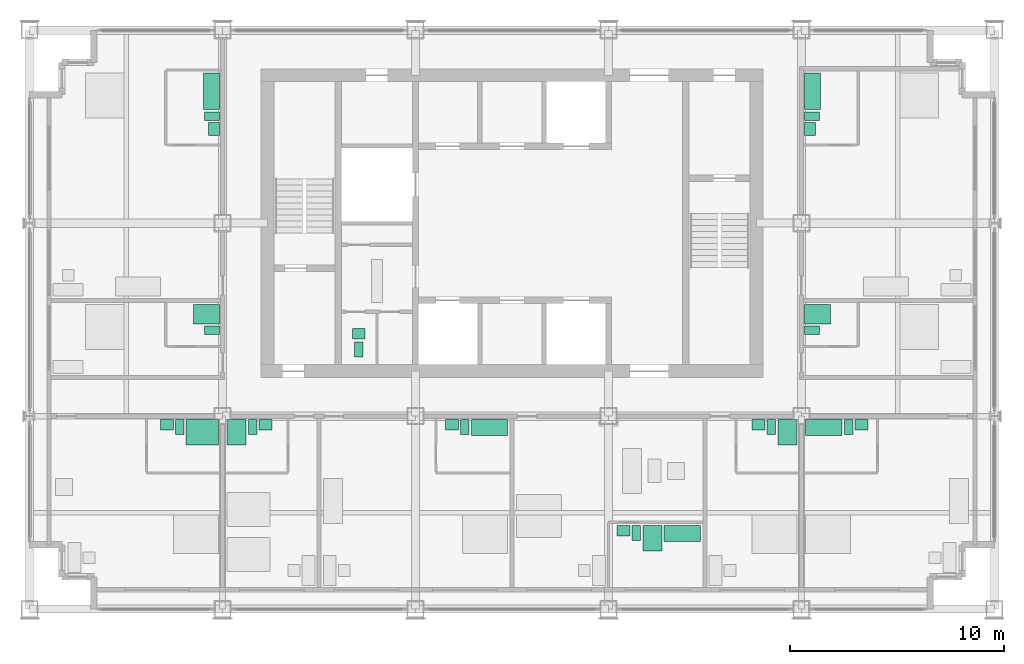
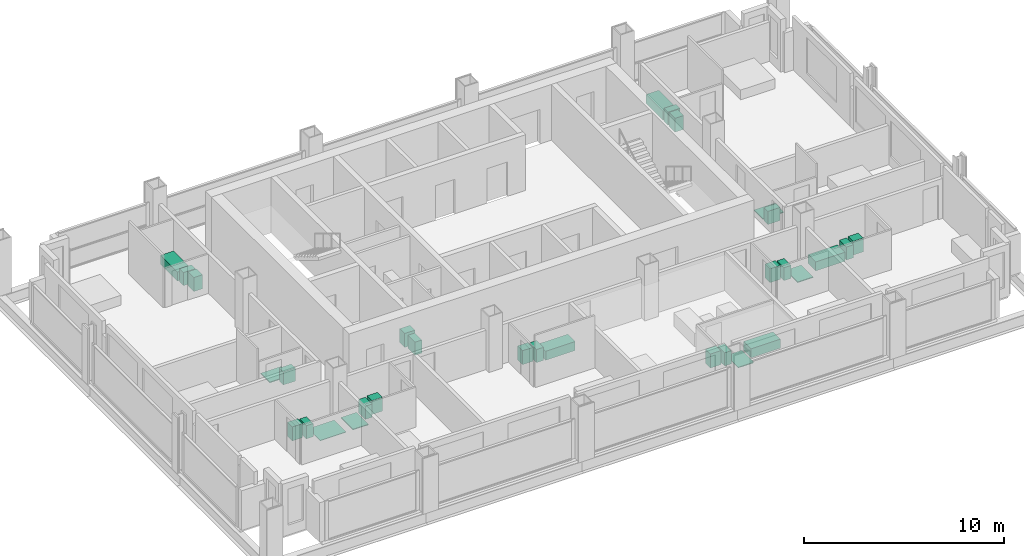
# One storey, part 12 of 13: 31 sanitary terminals.
"""IFC4 building model written with IfcOpenShell, lengths in metres."""

from ifc_helpers import new_model, si_unit, direction, frame, origin, origin_2d, place, context, subcontext, project, spatial, rectangle, extrude, element, save


model = new_model("IFC4")

# Units and contexts
model_context = context("Model", 3, precision=1e-05, world=origin(), true_north=direction((0.0, 1.0)))
body_context = subcontext(model_context, "Body", "Model", "MODEL_VIEW")
ifc_project = project(units=[si_unit("LENGTHUNIT", "METRE"), si_unit("AREAUNIT", "SQUARE_METRE"), si_unit("VOLUMEUNIT", "CUBIC_METRE"), si_unit("PLANEANGLEUNIT", "RADIAN"), si_unit("MASSUNIT", "GRAM", prefix="KILO")], contexts=[model_context])

# Site, building, storey
site_placement = place(None, origin())
site = spatial("IfcSite", under=ifc_project, at=site_placement, CompositionType="ELEMENT")
building_placement = place(site_placement, origin())
building = spatial("IfcBuilding", under=site, at=building_placement, Name="Loomwork Tower", CompositionType="ELEMENT")
storey_placement = place(building_placement, frame((0.0, 0.0, 208.0)))
storey = spatial("IfcBuildingStorey", under=building, at=storey_placement, Name="L57", CompositionType="ELEMENT", Elevation=208.0)

# Sanitary terminals
sanitary_terminal_1_placement = place(storey_placement, frame((8.050048828125, 8.25, 0.0), z_axis=(0.0, 0.0, 1.0), x_axis=(1.0, 0.0, 0.0)))
element("IfcSanitaryTerminal", 1, at=sanitary_terminal_1_placement, inside=storey, Name="Roll-in shower floor L57", PredefinedType="SHOWER", context=body_context, shape_type="SweptSolid", body=[
    extrude(rectangle(XDim=1.5, YDim=1.199951171875, at=origin_2d()), origin(), (0.0, 0.0, 1.0), 0.030029296875),
])
sanitary_terminal_2_placement = place(storey_placement, frame((7.0, 8.5, 0.0), z_axis=(0.0, 0.0, 1.0), x_axis=(1.0, 0.0, 0.0)))
element("IfcSanitaryTerminal", 2, at=sanitary_terminal_2_placement, inside=storey, Name="WC L57", PredefinedType="TOILETPAN", context=body_context, shape_type="SweptSolid", body=[
    extrude(rectangle(XDim=0.39990234375, YDim=0.699951171875, at=origin_2d()), origin(), (0.0, 0.0, 1.0), 0.800048828125),
])
sanitary_terminal_3_placement = place(storey_placement, frame((6.39990234375, 8.60009765625, 0.0), z_axis=(0.0, 0.0, 1.0), x_axis=(1.0, 0.0, 0.0)))
element("IfcSanitaryTerminal", 3, at=sanitary_terminal_3_placement, inside=storey, Name="Basin vanity L57", PredefinedType="WASHHANDBASIN", context=body_context, shape_type="SweptSolid", body=[
    extrude(rectangle(XDim=0.60009765625, YDim=0.5, at=origin_2d()), origin(), (0.0, 0.0, 1.0), 0.85009765625),
])
sanitary_terminal_4_placement = place(storey_placement, frame((9.64990234375, 8.25, 0.0), z_axis=(0.0, 0.0, 1.0), x_axis=(1.0, 0.0, 0.0)))
element("IfcSanitaryTerminal", 4, at=sanitary_terminal_4_placement, inside=storey, Name="Shower tray L57", PredefinedType="SHOWER", context=body_context, shape_type="SweptSolid", body=[
    extrude(rectangle(XDim=0.89990234375, YDim=1.199951171875, at=origin_2d()), origin(), (0.0, 0.0, 1.0), 0.050048828125),
])
sanitary_terminal_5_placement = place(storey_placement, frame((10.39990234375, 8.5, 0.0), z_axis=(0.0, 0.0, 1.0), x_axis=(1.0, 0.0, 0.0)))
element("IfcSanitaryTerminal", 5, at=sanitary_terminal_5_placement, inside=storey, Name="WC L57", PredefinedType="TOILETPAN", context=body_context, shape_type="SweptSolid", body=[
    extrude(rectangle(XDim=0.39990234375, YDim=0.699951171875, at=origin_2d()), origin(), (0.0, 0.0, 1.0), 0.800048828125),
])
sanitary_terminal_6_placement = place(storey_placement, frame((11.0, 8.60009765625, 0.0), z_axis=(0.0, 0.0, 1.0), x_axis=(1.0, 0.0, 0.0)))
element("IfcSanitaryTerminal", 6, at=sanitary_terminal_6_placement, inside=storey, Name="Basin vanity L57", PredefinedType="WASHHANDBASIN", context=body_context, shape_type="SweptSolid", body=[
    extrude(rectangle(XDim=0.60009765625, YDim=0.5, at=origin_2d()), origin(), (0.0, 0.0, 1.0), 0.85009765625),
])
sanitary_terminal_7_placement = place(storey_placement, frame((21.449951171875, 8.47509765625, 0.0), z_axis=(0.0, 0.0, 1.0), x_axis=(1.0, 0.0, 0.0)))
element("IfcSanitaryTerminal", 7, at=sanitary_terminal_7_placement, inside=storey, Name="Bath L57", PredefinedType="BATH", context=body_context, shape_type="SweptSolid", body=[
    extrude(rectangle(XDim=1.699951171875, YDim=0.75, at=origin_2d()), origin(), (0.0, 0.0, 1.0), 0.550048828125),
])
sanitary_terminal_8_placement = place(storey_placement, frame((20.300048828125, 8.5, 0.0), z_axis=(0.0, 0.0, 1.0), x_axis=(1.0, 0.0, 0.0)))
element("IfcSanitaryTerminal", 8, at=sanitary_terminal_8_placement, inside=storey, Name="WC L57", PredefinedType="TOILETPAN", context=body_context, shape_type="SweptSolid", body=[
    extrude(rectangle(XDim=0.39990234375, YDim=0.699951171875, at=origin_2d()), origin(), (0.0, 0.0, 1.0), 0.800048828125),
])
sanitary_terminal_9_placement = place(storey_placement, frame((19.699951171875, 8.60009765625, 0.0), z_axis=(0.0, 0.0, 1.0), x_axis=(1.0, 0.0, 0.0)))
element("IfcSanitaryTerminal", 9, at=sanitary_terminal_9_placement, inside=storey, Name="Basin vanity L57", PredefinedType="WASHHANDBASIN", context=body_context, shape_type="SweptSolid", body=[
    extrude(rectangle(XDim=0.60009765625, YDim=0.5, at=origin_2d()), origin(), (0.0, 0.0, 1.0), 0.85009765625),
])
sanitary_terminal_10_placement = place(storey_placement, frame((30.449951171875, 3.52490234375, 0.0), z_axis=(0.0, 0.0, 1.0), x_axis=(1.0, 0.0, 0.0)))
element("IfcSanitaryTerminal", 10, at=sanitary_terminal_10_placement, inside=storey, Name="Bath L57", PredefinedType="BATH", context=body_context, shape_type="SweptSolid", body=[
    extrude(rectangle(XDim=1.699951171875, YDim=0.75, at=origin_2d()), origin(), (0.0, 0.0, 1.0), 0.550048828125),
])
sanitary_terminal_11_placement = place(storey_placement, frame((29.050048828125, 3.300048828125, 0.0), z_axis=(0.0, 0.0, 1.0), x_axis=(1.0, 0.0, 0.0)))
element("IfcSanitaryTerminal", 11, at=sanitary_terminal_11_placement, inside=storey, Name="Shower tray L57", PredefinedType="SHOWER", context=body_context, shape_type="SweptSolid", body=[
    extrude(rectangle(XDim=0.89990234375, YDim=1.199951171875, at=origin_2d()), origin(), (0.0, 0.0, 1.0), 0.050048828125),
])
sanitary_terminal_12_placement = place(storey_placement, frame((28.300048828125, 3.550048828125, 0.0), z_axis=(0.0, 0.0, 1.0), x_axis=(1.0, 0.0, 0.0)))
element("IfcSanitaryTerminal", 12, at=sanitary_terminal_12_placement, inside=storey, Name="WC L57", PredefinedType="TOILETPAN", context=body_context, shape_type="SweptSolid", body=[
    extrude(rectangle(XDim=0.39990234375, YDim=0.699951171875, at=origin_2d()), origin(), (0.0, 0.0, 1.0), 0.800048828125),
])
sanitary_terminal_13_placement = place(storey_placement, frame((27.699951171875, 3.64990234375, 0.0), z_axis=(0.0, 0.0, 1.0), x_axis=(1.0, 0.0, 0.0)))
element("IfcSanitaryTerminal", 13, at=sanitary_terminal_13_placement, inside=storey, Name="Basin vanity L57", PredefinedType="WASHHANDBASIN", context=body_context, shape_type="SweptSolid", body=[
    extrude(rectangle(XDim=0.60009765625, YDim=0.5, at=origin_2d()), origin(), (0.0, 0.0, 1.0), 0.85009765625),
])
sanitary_terminal_14_placement = place(storey_placement, frame((35.35009765625, 8.25, 0.0), z_axis=(0.0, 0.0, 1.0), x_axis=(1.0, 0.0, 0.0)))
element("IfcSanitaryTerminal", 14, at=sanitary_terminal_14_placement, inside=storey, Name="Shower tray L57", PredefinedType="SHOWER", context=body_context, shape_type="SweptSolid", body=[
    extrude(rectangle(XDim=0.89990234375, YDim=1.199951171875, at=origin_2d()), origin(), (0.0, 0.0, 1.0), 0.050048828125),
])
sanitary_terminal_15_placement = place(storey_placement, frame((34.60009765625, 8.5, 0.0), z_axis=(0.0, 0.0, 1.0), x_axis=(1.0, 0.0, 0.0)))
element("IfcSanitaryTerminal", 15, at=sanitary_terminal_15_placement, inside=storey, Name="WC L57", PredefinedType="TOILETPAN", context=body_context, shape_type="SweptSolid", body=[
    extrude(rectangle(XDim=0.39990234375, YDim=0.699951171875, at=origin_2d()), origin(), (0.0, 0.0, 1.0), 0.800048828125),
])
sanitary_terminal_16_placement = place(storey_placement, frame((34.0, 8.60009765625, 0.0), z_axis=(0.0, 0.0, 1.0), x_axis=(1.0, 0.0, 0.0)))
element("IfcSanitaryTerminal", 16, at=sanitary_terminal_16_placement, inside=storey, Name="Basin vanity L57", PredefinedType="WASHHANDBASIN", context=body_context, shape_type="SweptSolid", body=[
    extrude(rectangle(XDim=0.60009765625, YDim=0.5, at=origin_2d()), origin(), (0.0, 0.0, 1.0), 0.85009765625),
])
sanitary_terminal_17_placement = place(storey_placement, frame((37.050048828125, 8.47509765625, 0.0), z_axis=(0.0, 0.0, 1.0), x_axis=(1.0, 0.0, 0.0)))
element("IfcSanitaryTerminal", 17, at=sanitary_terminal_17_placement, inside=storey, Name="Bath L57", PredefinedType="BATH", context=body_context, shape_type="SweptSolid", body=[
    extrude(rectangle(XDim=1.699951171875, YDim=0.75, at=origin_2d()), origin(), (0.0, 0.0, 1.0), 0.550048828125),
])
sanitary_terminal_18_placement = place(storey_placement, frame((38.199951171875, 8.5, 0.0), z_axis=(0.0, 0.0, 1.0), x_axis=(1.0, 0.0, 0.0)))
element("IfcSanitaryTerminal", 18, at=sanitary_terminal_18_placement, inside=storey, Name="WC L57", PredefinedType="TOILETPAN", context=body_context, shape_type="SweptSolid", body=[
    extrude(rectangle(XDim=0.39990234375, YDim=0.699951171875, at=origin_2d()), origin(), (0.0, 0.0, 1.0), 0.800048828125),
])
sanitary_terminal_19_placement = place(storey_placement, frame((38.800048828125, 8.60009765625, 0.0), z_axis=(0.0, 0.0, 1.0), x_axis=(1.0, 0.0, 0.0)))
element("IfcSanitaryTerminal", 19, at=sanitary_terminal_19_placement, inside=storey, Name="Basin vanity L57", PredefinedType="WASHHANDBASIN", context=body_context, shape_type="SweptSolid", body=[
    extrude(rectangle(XDim=0.60009765625, YDim=0.5, at=origin_2d()), origin(), (0.0, 0.0, 1.0), 0.85009765625),
])
sanitary_terminal_20_placement = place(storey_placement, frame((8.25, 13.75, 0.0), z_axis=(0.0, 0.0, 1.0), x_axis=(1.0, 0.0, 0.0)))
element("IfcSanitaryTerminal", 20, at=sanitary_terminal_20_placement, inside=storey, Name="Shower tray L57", PredefinedType="SHOWER", context=body_context, shape_type="SweptSolid", body=[
    extrude(rectangle(XDim=1.199951171875, YDim=0.89990234375, at=origin_2d()), origin(), (0.0, 0.0, 1.0), 0.050048828125),
])
sanitary_terminal_21_placement = place(storey_placement, frame((8.5, 13.0, 0.0), z_axis=(0.0, 0.0, 1.0), x_axis=(1.0, 0.0, 0.0)))
element("IfcSanitaryTerminal", 21, at=sanitary_terminal_21_placement, inside=storey, Name="WC L57", PredefinedType="TOILETPAN", context=body_context, shape_type="SweptSolid", body=[
    extrude(rectangle(XDim=0.699951171875, YDim=0.39990234375, at=origin_2d()), origin(), (0.0, 0.0, 1.0), 0.800048828125),
])
sanitary_terminal_22_placement = place(storey_placement, frame((8.47509765625, 24.14990234375, 0.0), z_axis=(0.0, 0.0, 1.0), x_axis=(1.0, 0.0, 0.0)))
element("IfcSanitaryTerminal", 22, at=sanitary_terminal_22_placement, inside=storey, Name="Bath L57", PredefinedType="BATH", context=body_context, shape_type="SweptSolid", body=[
    extrude(rectangle(XDim=0.75, YDim=1.699951171875, at=origin_2d()), origin(), (0.0, 0.0, 1.0), 0.550048828125),
])
sanitary_terminal_23_placement = place(storey_placement, frame((8.5, 23.0, 0.0), z_axis=(0.0, 0.0, 1.0), x_axis=(1.0, 0.0, 0.0)))
element("IfcSanitaryTerminal", 23, at=sanitary_terminal_23_placement, inside=storey, Name="WC L57", PredefinedType="TOILETPAN", context=body_context, shape_type="SweptSolid", body=[
    extrude(rectangle(XDim=0.699951171875, YDim=0.39990234375, at=origin_2d()), origin(), (0.0, 0.0, 1.0), 0.800048828125),
])
sanitary_terminal_24_placement = place(storey_placement, frame((8.60009765625, 22.39990234375, 0.0), z_axis=(0.0, 0.0, 1.0), x_axis=(1.0, 0.0, 0.0)))
element("IfcSanitaryTerminal", 24, at=sanitary_terminal_24_placement, inside=storey, Name="Basin vanity L57", PredefinedType="WASHHANDBASIN", context=body_context, shape_type="SweptSolid", body=[
    extrude(rectangle(XDim=0.5, YDim=0.60009765625, at=origin_2d()), origin(), (0.0, 0.0, 1.0), 0.85009765625),
])
sanitary_terminal_25_placement = place(storey_placement, frame((36.75, 13.75, 0.0), z_axis=(0.0, 0.0, 1.0), x_axis=(1.0, 0.0, 0.0)))
element("IfcSanitaryTerminal", 25, at=sanitary_terminal_25_placement, inside=storey, Name="Shower tray L57", PredefinedType="SHOWER", context=body_context, shape_type="SweptSolid", body=[
    extrude(rectangle(XDim=1.199951171875, YDim=0.89990234375, at=origin_2d()), origin(), (0.0, 0.0, 1.0), 0.050048828125),
])
sanitary_terminal_26_placement = place(storey_placement, frame((36.5, 13.0, 0.0), z_axis=(0.0, 0.0, 1.0), x_axis=(1.0, 0.0, 0.0)))
element("IfcSanitaryTerminal", 26, at=sanitary_terminal_26_placement, inside=storey, Name="WC L57", PredefinedType="TOILETPAN", context=body_context, shape_type="SweptSolid", body=[
    extrude(rectangle(XDim=0.699951171875, YDim=0.39990234375, at=origin_2d()), origin(), (0.0, 0.0, 1.0), 0.800048828125),
])
sanitary_terminal_27_placement = place(storey_placement, frame((36.52490234375, 24.14990234375, 0.0), z_axis=(0.0, 0.0, 1.0), x_axis=(1.0, 0.0, 0.0)))
element("IfcSanitaryTerminal", 27, at=sanitary_terminal_27_placement, inside=storey, Name="Bath L57", PredefinedType="BATH", context=body_context, shape_type="SweptSolid", body=[
    extrude(rectangle(XDim=0.75, YDim=1.699951171875, at=origin_2d()), origin(), (0.0, 0.0, 1.0), 0.550048828125),
])
sanitary_terminal_28_placement = place(storey_placement, frame((36.5, 23.0, 0.0), z_axis=(0.0, 0.0, 1.0), x_axis=(1.0, 0.0, 0.0)))
element("IfcSanitaryTerminal", 28, at=sanitary_terminal_28_placement, inside=storey, Name="WC L57", PredefinedType="TOILETPAN", context=body_context, shape_type="SweptSolid", body=[
    extrude(rectangle(XDim=0.699951171875, YDim=0.39990234375, at=origin_2d()), origin(), (0.0, 0.0, 1.0), 0.800048828125),
])
sanitary_terminal_29_placement = place(storey_placement, frame((36.39990234375, 22.39990234375, 0.0), z_axis=(0.0, 0.0, 1.0), x_axis=(1.0, 0.0, 0.0)))
element("IfcSanitaryTerminal", 29, at=sanitary_terminal_29_placement, inside=storey, Name="Basin vanity L57", PredefinedType="WASHHANDBASIN", context=body_context, shape_type="SweptSolid", body=[
    extrude(rectangle(XDim=0.5, YDim=0.60009765625, at=origin_2d()), origin(), (0.0, 0.0, 1.0), 0.85009765625),
])
sanitary_terminal_30_placement = place(storey_placement, frame((15.35009765625, 12.10009765625, 0.0), z_axis=(0.0, 0.0, 1.0), x_axis=(1.0, 0.0, 0.0)))
element("IfcSanitaryTerminal", 30, at=sanitary_terminal_30_placement, inside=storey, Name="WC L57", PredefinedType="TOILETPAN", context=body_context, shape_type="SweptSolid", body=[
    extrude(rectangle(XDim=0.39990234375, YDim=0.699951171875, at=origin_2d()), origin(), (0.0, 0.0, 1.0), 0.800048828125),
])
sanitary_terminal_31_placement = place(storey_placement, frame((15.35009765625, 12.85009765625, 0.0), z_axis=(0.0, 0.0, 1.0), x_axis=(1.0, 0.0, 0.0)))
element("IfcSanitaryTerminal", 31, at=sanitary_terminal_31_placement, inside=storey, Name="Basin L57", PredefinedType="WASHHANDBASIN", context=body_context, shape_type="SweptSolid", body=[
    extrude(rectangle(XDim=0.60009765625, YDim=0.5, at=origin_2d()), origin(), (0.0, 0.0, 1.0), 0.85009765625),
])

save(model, "model.ifc")
